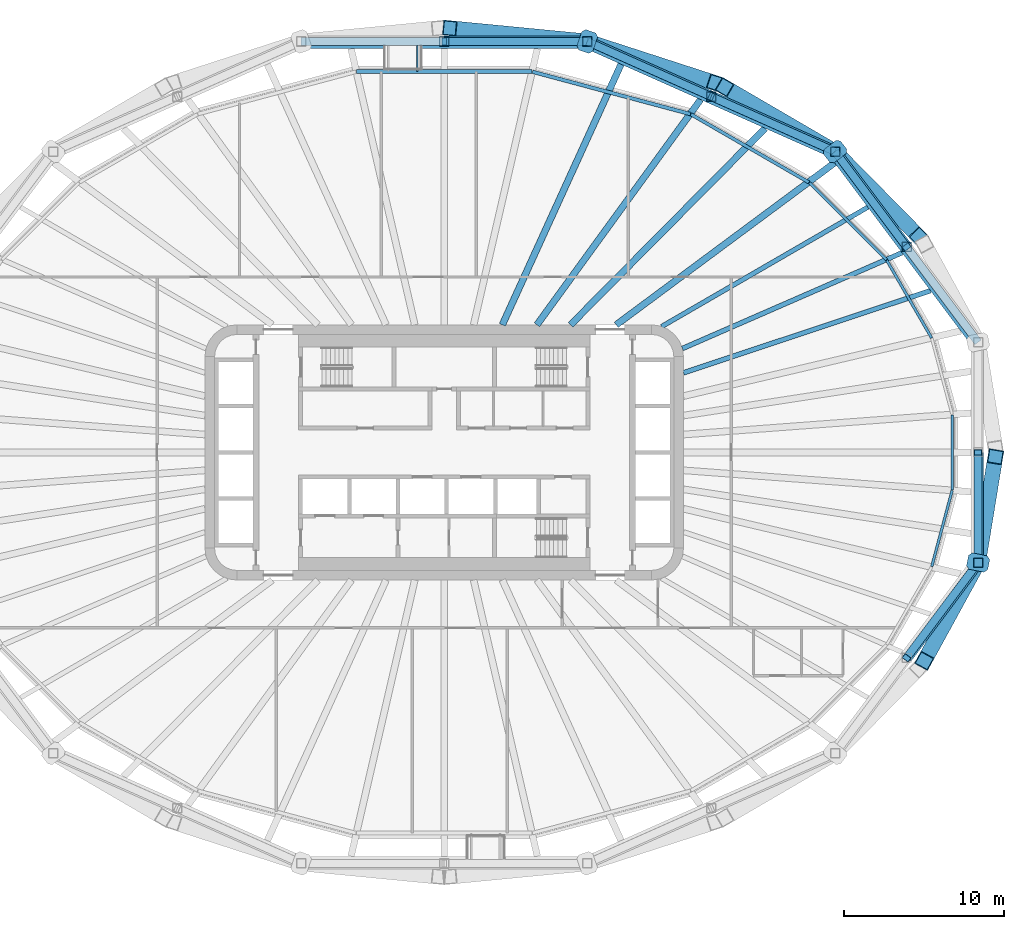
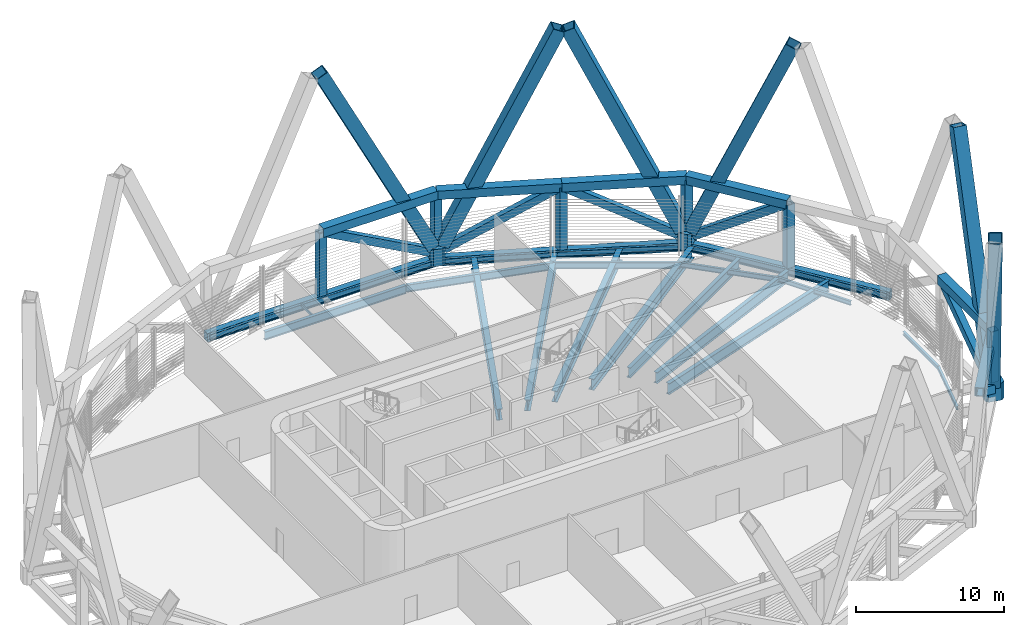
# One storey, part 4 of 18: 27 members, 21 beams.
"""IFC4 building model written with IfcOpenShell, lengths in metres."""

from ifc_helpers import new_model, si_unit, direction, frame, origin, origin_2d, place, context, subcontext, project, spatial, polyline, hollow_rectangle, i_section, outline, extrude, material, material_profile, profile_set, type_object, element, save


model = new_model("IFC4")

# Units and contexts
model_context = context("Model", 3, precision=1e-05, world=origin(), true_north=direction((0.0, 1.0)))
body_context = subcontext(model_context, "Body", "Model", "MODEL_VIEW")
ifc_project = project(units=[si_unit("LENGTHUNIT", "METRE"), si_unit("AREAUNIT", "SQUARE_METRE"), si_unit("VOLUMEUNIT", "CUBIC_METRE"), si_unit("PLANEANGLEUNIT", "RADIAN"), si_unit("MASSUNIT", "GRAM", prefix="KILO")], contexts=[model_context])

# Site, building, storey
site_placement = place(None, origin())
site = spatial("IfcSite", under=ifc_project, at=site_placement, CompositionType="ELEMENT")
building_placement = place(site_placement, origin())
building = spatial("IfcBuilding", under=site, at=building_placement, Name="Sahrelin Media Tower", CompositionType="ELEMENT")
storey_placement = place(building_placement, frame((0.0, 0.0, 96.60009765625)))
storey = spatial("IfcBuildingStorey", under=building, at=storey_placement, Name="L18", CompositionType="ELEMENT", Elevation=96.60009765625)

# Members
ifc_material_1 = material(Name="Steel S460", Category="steel")
ifc_material_profile_1 = material_profile(ifc_material_1, hollow_rectangle(XDim=0.699951171875, YDim=0.699951171875, WallThickness=0.044921875, at=origin_2d()), Name="Belt truss chord BC")
ifc_profile_set_1 = profile_set([ifc_material_profile_1], Name="Steel S460")
member_type_1 = type_object("IfcMemberType", Name="Belt truss chord BC", PredefinedType="CHORD", material=ifc_profile_set_1)
member_1_placement = place(storey_placement, frame((28.9853515625, 12.880615234375, 4.89990234375), z_axis=(-0.600067953481, 0.79994903038, 0.0), x_axis=(-0.79994903038, -0.600067953481, 0.0)))
element("IfcMember", 1, at=member_1_placement, inside=storey, type_object=member_type_1, Name="Belt truss member BT03-00-T2", PredefinedType="CHORD", context=body_context, shape_type="SweptSolid", body=[
    extrude(hollow_rectangle(XDim=0.699951171875, YDim=0.699951171875, WallThickness=0.044921875, at=origin_2d()), origin(), (0.0, 0.0, 1.0), 7.47265625),
])
for number, where, z_axis, x_axis, name in (
    (2, (24.501220703125, 18.8583984375, 4.89990234375), (-0.913829316363, 0.406098486276, 0.0), (-0.406098486276, -0.913829316363, 0.0), "Belt truss member BT03-01-T1"),
    (3, (16.734619140625, 22.309814453125, 4.89990234375), (-0.913829316363, 0.406098486276, 0.0), (-0.406098486276, -0.913829316363, 0.0), "Belt truss member BT03-01-T2"),
):
    element("IfcMember", number, at=place(storey_placement, frame(where, z_axis=z_axis, x_axis=x_axis)), inside=storey, type_object=member_type_1, Name=name, PredefinedType="CHORD", context=body_context, shape_type="SweptSolid", body=[
        extrude(hollow_rectangle(XDim=0.699951171875, YDim=0.699951171875, WallThickness=0.044921875, at=origin_2d()), origin(), (0.0, 0.0, 1.0), 8.4990234375),
    ])
member_2_placement = place(storey_placement, frame((8.968017578125, 25.76123046875, 4.89990234375), z_axis=(-1.0, 0.0, 0.0), x_axis=(0.0, -1.0, 0.0)))
element("IfcMember", 4, at=member_2_placement, inside=storey, type_object=member_type_1, Name="Belt truss member BT03-02-T1", PredefinedType="CHORD", context=body_context, shape_type="SweptSolid", body=[
    extrude(hollow_rectangle(XDim=0.699951171875, YDim=0.699951171875, WallThickness=0.044921875, at=origin_2d()), origin(), (0.0, 0.0, 1.0), 8.968017578125),
])
member_3_placement = place(storey_placement, frame((28.9853515625, -12.880615234375, 4.89990234375), z_axis=(0.600031363478, 0.799976476431, 0.0), x_axis=(-0.799976476431, 0.600031363478, 0.0)))
element("IfcMember", 5, at=member_3_placement, inside=storey, type_object=member_type_1, Name="Belt truss member BT03-10-T2", PredefinedType="CHORD", context=body_context, shape_type="SweptSolid", body=[
    extrude(hollow_rectangle(XDim=0.699951171875, YDim=0.699951171875, WallThickness=0.044921875, at=origin_2d()), origin(), (0.0, 0.0, 1.0), 7.47265625),
])
member_4_placement = place(storey_placement, frame((33.46923828125, -6.902587890625, 4.89990234375), z_axis=(0.0, 1.0, 0.0), x_axis=(-1.0, 0.0, 0.0)))
element("IfcMember", 6, at=member_4_placement, inside=storey, type_object=member_type_1, Name="Belt truss member BT03-11-T1", PredefinedType="CHORD", context=body_context, shape_type="SweptSolid", body=[
    extrude(hollow_rectangle(XDim=0.699951171875, YDim=0.699951171875, WallThickness=0.044921875, at=origin_2d()), origin(), (0.0, 0.0, 1.0), 6.902587890625),
])
ifc_material_profile_2 = material_profile(ifc_material_1, hollow_rectangle(XDim=0.5, YDim=0.60009765625, WallThickness=0.030029296875, at=origin_2d()), Name="Belt truss diagonal BD")
ifc_profile_set_2 = profile_set([ifc_material_profile_2], Name="Steel S460")
member_type_2 = type_object("IfcMemberType", Name="Belt truss diagonal BD", PredefinedType="BRACE", material=ifc_profile_set_2)
member_5_placement = place(storey_placement, frame((24.81640625, 18.4384765625, 0.34423828125), z_axis=(0.501794767351, -0.668971531901, 0.548342138602), x_axis=(0.799962047202, 0.600050600396, 0.0)))
element("IfcMember", 7, at=member_5_placement, inside=storey, type_object=member_type_2, Name="Belt truss member BT03-00-X2", PredefinedType="BRACE", context=body_context, shape_type="SweptSolid", body=[
    extrude(hollow_rectangle(XDim=0.5, YDim=0.60009765625, WallThickness=0.030029296875, at=origin_2d()), origin(), (0.0, 0.0, 1.0), 8.30810546875),
])
member_6_placement = place(storey_placement, frame((23.95556640625, 19.10107421875, 0.34423828125), z_axis=(-0.791685975004, 0.351797977127, 0.499471220664), x_axis=(-0.40607826395, -0.913838302736, 0.0)))
element("IfcMember", 8, at=member_6_placement, inside=storey, type_object=member_type_2, Name="Belt truss member BT03-01-X1", PredefinedType="BRACE", context=body_context, shape_type="SweptSolid", body=[
    extrude(hollow_rectangle(XDim=0.5, YDim=0.60009765625, WallThickness=0.030029296875, at=origin_2d()), origin(), (0.0, 0.0, 1.0), 9.12109375),
])
member_7_placement = place(storey_placement, frame((9.449462890625, 25.54736328125, 0.3037109375), z_axis=(0.791676830159, -0.351823942518, 0.499467426427), x_axis=(0.406107210213, 0.913825439465, 0.0)))
element("IfcMember", 9, at=member_7_placement, inside=storey, type_object=member_type_2, Name="Belt truss member BT03-01-X2", PredefinedType="BRACE", context=body_context, shape_type="SweptSolid", body=[
    extrude(hollow_rectangle(XDim=0.5, YDim=0.60009765625, WallThickness=0.030029296875, at=origin_2d()), origin(), (0.0, 0.0, 1.0), 9.2021484375),
])
member_8_placement = place(storey_placement, frame((8.412109375, 25.76123046875, 0.3037109375), z_axis=(-0.877554684611, 0.0, 0.479476564096), x_axis=(0.0, -1.0, 0.0)))
element("IfcMember", 10, at=member_8_placement, inside=storey, type_object=member_type_2, Name="Belt truss member BT03-02-X1", PredefinedType="BRACE", context=body_context, shape_type="SweptSolid", body=[
    extrude(hollow_rectangle(XDim=0.5, YDim=0.60009765625, WallThickness=0.030029296875, at=origin_2d()), origin(), (0.0, 0.0, 1.0), 9.5859375),
])
member_9_placement = place(storey_placement, frame((33.12109375, -7.366943359375, 0.38037109375), z_axis=(-0.501786672946, -0.668969906837, 0.54835152831), x_axis=(0.799965993785, -0.600045338944, 0.0)))
element("IfcMember", 11, at=member_9_placement, inside=storey, type_object=member_type_2, Name="Belt truss member BT03-10-X2", PredefinedType="BRACE", context=body_context, shape_type="SweptSolid", body=[
    extrude(hollow_rectangle(XDim=0.5, YDim=0.60009765625, WallThickness=0.030029296875, at=origin_2d()), origin(), (0.0, 0.0, 1.0), 8.241943359375),
])
member_10_placement = place(storey_placement, frame((33.46923828125, -6.36669921875, 0.38037109375), z_axis=(0.0, 0.815432871451, 0.578851649525), x_axis=(-1.0, 0.0, 0.0)))
element("IfcMember", 12, at=member_10_placement, inside=storey, type_object=member_type_2, Name="Belt truss member BT03-11-X1", PredefinedType="BRACE", context=body_context, shape_type="SweptSolid", body=[
    extrude(hollow_rectangle(XDim=0.5, YDim=0.60009765625, WallThickness=0.030029296875, at=origin_2d()), origin(), (0.0, 0.0, 1.0), 7.807861328125),
])
ifc_material_profile_3 = material_profile(ifc_material_1, hollow_rectangle(XDim=0.60009765625, YDim=0.60009765625, WallThickness=0.034912109375, at=origin_2d()), Name="Belt truss post BP")
ifc_profile_set_3 = profile_set([ifc_material_profile_3], Name="Steel S460")
member_type_3 = type_object("IfcMemberType", Name="Belt truss post BP", PredefinedType="POST", material=ifc_profile_set_3)
member_11_placement = place(storey_placement, frame((28.9853515625, 12.880615234375, -0.320068359375), z_axis=(0.0, 0.0, 1.0), x_axis=(1.0, 0.0, 0.0)))
element("IfcMember", 13, at=member_11_placement, inside=storey, type_object=member_type_3, Name="Belt truss member BT03-00-P1", PredefinedType="POST", context=body_context, shape_type="SweptSolid", body=[
    extrude(hollow_rectangle(XDim=0.60009765625, YDim=0.60009765625, WallThickness=0.034912109375, at=origin_2d()), origin(), (0.0, 0.0, 1.0), 5.219970703125),
])
member_12_placement = place(storey_placement, frame((24.501220703125, 18.8583984375, 0.699951171875), z_axis=(0.0, 0.0, 1.0), x_axis=(1.0, 0.0, 0.0)))
element("IfcMember", 14, at=member_12_placement, inside=storey, type_object=member_type_3, Name="Belt truss member BT03-01-P0", PredefinedType="POST", context=body_context, shape_type="SweptSolid", body=[
    extrude(hollow_rectangle(XDim=0.60009765625, YDim=0.60009765625, WallThickness=0.034912109375, at=origin_2d()), origin(), (0.0, 0.0, 1.0), 4.199951171875),
])
member_13_placement = place(storey_placement, frame((16.734619140625, 22.309814453125, -0.320068359375), z_axis=(0.0, 0.0, 1.0), x_axis=(1.0, 0.0, 0.0)))
element("IfcMember", 15, at=member_13_placement, inside=storey, type_object=member_type_3, Name="Belt truss member BT03-01-P1", PredefinedType="POST", context=body_context, shape_type="SweptSolid", body=[
    extrude(hollow_rectangle(XDim=0.60009765625, YDim=0.60009765625, WallThickness=0.034912109375, at=origin_2d()), origin(), (0.0, 0.0, 1.0), 5.219970703125),
])
member_14_placement = place(storey_placement, frame((8.968017578125, 25.76123046875, 0.699951171875), z_axis=(0.0, 0.0, 1.0), x_axis=(1.0, 0.0, 0.0)))
element("IfcMember", 16, at=member_14_placement, inside=storey, type_object=member_type_3, Name="Belt truss member BT03-02-P0", PredefinedType="POST", context=body_context, shape_type="SweptSolid", body=[
    extrude(hollow_rectangle(XDim=0.60009765625, YDim=0.60009765625, WallThickness=0.034912109375, at=origin_2d()), origin(), (0.0, 0.0, 1.0), 4.199951171875),
])
member_15_placement = place(storey_placement, frame((0.0, 25.76123046875, -0.320068359375), z_axis=(0.0, 0.0, 1.0), x_axis=(1.0, 0.0, 0.0)))
element("IfcMember", 17, at=member_15_placement, inside=storey, type_object=member_type_3, Name="Belt truss member BT03-02-P1", PredefinedType="POST", context=body_context, shape_type="SweptSolid", body=[
    extrude(hollow_rectangle(XDim=0.60009765625, YDim=0.60009765625, WallThickness=0.034912109375, at=origin_2d()), origin(), (0.0, 0.0, 1.0), 5.219970703125),
])
member_16_placement = place(storey_placement, frame((33.46923828125, -6.902587890625, 0.699951171875), z_axis=(0.0, 0.0, 1.0), x_axis=(1.0, 0.0, 0.0)))
element("IfcMember", 18, at=member_16_placement, inside=storey, type_object=member_type_3, Name="Belt truss member BT03-11-P0", PredefinedType="POST", context=body_context, shape_type="SweptSolid", body=[
    extrude(hollow_rectangle(XDim=0.60009765625, YDim=0.60009765625, WallThickness=0.034912109375, at=origin_2d()), origin(), (0.0, 0.0, 1.0), 4.199951171875),
])
ifc_material_profile_4 = material_profile(ifc_material_1, hollow_rectangle(XDim=0.949951171875, YDim=0.949951171875, WallThickness=0.054931640625, at=origin_2d()), Name="Diagrid diagonal DG2")
ifc_profile_set_4 = profile_set([ifc_material_profile_4], Name="Steel S460")
member_type_4 = type_object("IfcMemberType", Name="Diagrid diagonal DG2", PredefinedType="BRACE", material=ifc_profile_set_4)
member_17_placement = place(storey_placement, frame((24.71337890625, 18.642822265625, 0.699951171875), z_axis=(0.278358636156, -0.28275966993, 0.917912544166), x_axis=(0.712630930764, 0.70153913399, 0.0)))
element("IfcMember", 19, at=member_17_placement, inside=storey, type_object=member_type_4, Name="Diagrid diagonal D03-02", PredefinedType="BRACE", context=body_context, shape_type="SweptSolid", body=[
    extrude(hollow_rectangle(XDim=0.949951171875, YDim=0.949951171875, WallThickness=0.054931640625, at=origin_2d()), origin(), (0.0, 0.0, 1.0), 18.08447265625),
])
member_18_placement = place(storey_placement, frame((24.220947265625, 19.02197265625, 0.699951171875), z_axis=(-0.363136743751, 0.211780836518, 0.907348104435), x_axis=(-0.503784178099, -0.863829556045, 0.0)))
element("IfcMember", 20, at=member_18_placement, inside=storey, type_object=member_type_4, Name="Diagrid diagonal D03-03", PredefinedType="BRACE", context=body_context, shape_type="SweptSolid", body=[
    extrude(hollow_rectangle(XDim=0.949951171875, YDim=0.949951171875, WallThickness=0.054931640625, at=origin_2d()), origin(), (0.0, 0.0, 1.0), 18.294921875),
])
member_19_placement = place(storey_placement, frame((9.2919921875, 25.656005859375, 0.699951171875), z_axis=(0.416103339156, -0.134953864114, 0.899247166081), x_axis=(0.308507655492, 0.951221859769, 0.0)))
element("IfcMember", 21, at=member_19_placement, inside=storey, type_object=member_type_4, Name="Diagrid diagonal D03-04", PredefinedType="BRACE", context=body_context, shape_type="SweptSolid", body=[
    extrude(hollow_rectangle(XDim=0.949951171875, YDim=0.949951171875, WallThickness=0.054931640625, at=origin_2d()), origin(), (0.0, 0.0, 1.0), 18.459716796875),
])
member_20_placement = place(storey_placement, frame((8.619384765625, 25.794921875, 0.699951171875), z_axis=(-0.445531291563, 0.043019626128, 0.894232173435), x_axis=(-0.096111031278, -0.99537061925, 0.0)))
element("IfcMember", 22, at=member_20_placement, inside=storey, type_object=member_type_4, Name="Diagrid diagonal D03-05", PredefinedType="BRACE", context=body_context, shape_type="SweptSolid", body=[
    extrude(hollow_rectangle(XDim=0.949951171875, YDim=0.949951171875, WallThickness=0.054931640625, at=origin_2d()), origin(), (0.0, 0.0, 1.0), 18.563232421875),
])
member_21_placement = place(storey_placement, frame((33.332763671875, -7.152099609375, 0.699951171875), z_axis=(-0.180665652257, -0.329989397727, 0.926534899225), x_axis=(0.877144222049, -0.480227043935, 0.0)))
element("IfcMember", 23, at=member_21_placement, inside=storey, type_object=member_type_4, Name="Diagrid diagonal D03-22", PredefinedType="BRACE", context=body_context, shape_type="SweptSolid", body=[
    extrude(hollow_rectangle(XDim=0.949951171875, YDim=0.949951171875, WallThickness=0.054931640625, at=origin_2d()), origin(), (0.0, 0.0, 1.0), 17.916015625),
])
member_22_placement = place(storey_placement, frame((33.512939453125, -6.63427734375, 0.699951171875), z_axis=(0.058262838687, 0.357459651471, 0.932109456662), x_axis=(-0.986975841171, 0.160868545541, 0.0)))
element("IfcMember", 24, at=member_22_placement, inside=storey, type_object=member_type_4, Name="Diagrid diagonal D03-23", PredefinedType="BRACE", context=body_context, shape_type="SweptSolid", body=[
    extrude(hollow_rectangle(XDim=0.949951171875, YDim=0.949951171875, WallThickness=0.054931640625, at=origin_2d()), origin(), (0.0, 0.0, 1.0), 17.808837890625),
])
ifc_material_profile_5 = material_profile(ifc_material_1, outline(polyline([(0.47509765625, -0.52490234375), (0.675048828125, -0.324951171875), (0.675048828125, 0.324951171875), (0.47509765625, 0.52490234375), (-0.47509765625, 0.52490234375), (-0.675048828125, 0.324951171875), (-0.675048828125, -0.324951171875), (-0.47509765625, -0.52490234375), (0.47509765625, -0.52490234375)])), Name="Diagrid node block 1350")
ifc_profile_set_5 = profile_set([ifc_material_profile_5], Name="Steel S460")
member_type_5 = type_object("IfcMemberType", Name="Diagrid node block 1350", PredefinedType="USERDEFINED", material=ifc_profile_set_5)
for number, where, z_axis, x_axis, name in (
    (25, (24.501220703125, 18.8583984375, -0.7001953125), (0.0, 0.0, 1.0), (0.792445093645, 0.609943254376, 0.0), "Diagrid node N03-01"),
    (26, (8.968017578125, 25.76123046875, -0.7001953125), (0.0, 0.0, 1.0), (0.328771046687, 0.944409656272, 0.0), "Diagrid node N03-02"),
    (27, (33.46923828125, -6.902587890625, -0.7001953125), (0.0, 0.0, 1.0), (0.979387770926, -0.201989094163, 0.0), "Diagrid node N03-11"),
):
    element("IfcMember", number, at=place(storey_placement, frame(where, z_axis=z_axis, x_axis=x_axis)), inside=storey, type_object=member_type_5, Name=name, ObjectType="NODE", PredefinedType="USERDEFINED", context=body_context, shape_type="SweptSolid", body=[
        extrude(outline(polyline([(0.47509765625, -0.52490234375), (0.675048828125, -0.324951171875), (0.675048828125, 0.324951171875), (0.47509765625, 0.52490234375), (-0.47509765625, 0.52490234375), (-0.675048828125, 0.324951171875), (-0.675048828125, -0.324951171875), (-0.47509765625, -0.52490234375), (0.47509765625, -0.52490234375)])), origin(), (0.0, 0.0, 1.0), 1.400146484375),
    ])

# Beams
ifc_material_profile_6 = material_profile(ifc_material_1, hollow_rectangle(XDim=0.5, YDim=0.699951171875, WallThickness=0.034912109375, at=origin_2d()), Name="Diagrid ring beam RB2")
ifc_profile_set_6 = profile_set([ifc_material_profile_6], Name="Steel S460")
beam_type_1 = type_object("IfcBeamType", Name="Diagrid ring beam RB2", PredefinedType="BEAM", material=ifc_profile_set_6)
beam_1_placement = place(storey_placement, frame((33.46923828125, 6.902587890625, -0.650146484375), z_axis=(-0.600049658577, 0.799962753659, 0.0), x_axis=(-0.799962753659, -0.600049658577, 0.0)))
element("IfcBeam", 28, at=beam_1_placement, inside=storey, type_object=beam_type_1, Name="Diagrid ring beam RB03-00", PredefinedType="BEAM", context=body_context, shape_type="SweptSolid", body=[
    extrude(hollow_rectangle(XDim=0.5, YDim=0.699951171875, WallThickness=0.034912109375, at=origin_2d()), origin(), (0.0, 0.0, 1.0), 14.945556640625),
])
beam_2_placement = place(storey_placement, frame((24.501220703125, 18.8583984375, -0.650146484375), z_axis=(-0.913829316363, 0.406098486276, 0.0), x_axis=(-0.406098486276, -0.913829316363, 0.0)))
element("IfcBeam", 29, at=beam_2_placement, inside=storey, type_object=beam_type_1, Name="Diagrid ring beam RB03-01", PredefinedType="BEAM", context=body_context, shape_type="SweptSolid", body=[
    extrude(hollow_rectangle(XDim=0.5, YDim=0.699951171875, WallThickness=0.034912109375, at=origin_2d()), origin(), (0.0, 0.0, 1.0), 16.998046875),
])
beam_3_placement = place(storey_placement, frame((8.968017578125, 25.76123046875, -0.650146484375), z_axis=(-1.0, 0.0, 0.0), x_axis=(0.0, -1.0, 0.0)))
element("IfcBeam", 30, at=beam_3_placement, inside=storey, type_object=beam_type_1, Name="Diagrid ring beam RB03-02", PredefinedType="BEAM", context=body_context, shape_type="SweptSolid", body=[
    extrude(hollow_rectangle(XDim=0.5, YDim=0.699951171875, WallThickness=0.034912109375, at=origin_2d()), origin(), (0.0, 0.0, 1.0), 17.93603515625),
])
ifc_material_2 = material(Name="Steel S355", Category="steel")
ifc_material_profile_7 = material_profile(ifc_material_2, i_section(OverallWidth=0.1650390625, OverallDepth=0.303466796875, WebThickness=0.006103515625, FlangeThickness=0.01025390625, FilletRadius=0.0087890625, at=origin_2d()), Name="UB 305x165x40")
ifc_profile_set_7 = profile_set([ifc_material_profile_7], Name="Steel S355")
beam_type_2 = type_object("IfcBeamType", Name="Edge beam EB2", PredefinedType="BEAM", material=ifc_profile_set_7)
beam_4_placement = place(storey_placement, frame((31.844970703125, 2.35693359375, -0.451904296875), z_axis=(0.0, -1.0, 0.0), x_axis=(1.0, 0.0, 0.0)))
element("IfcBeam", 31, at=beam_4_placement, inside=storey, type_object=beam_type_2, Name="Edge beam L18-01", PredefinedType="BEAM", context=body_context, shape_type="SweptSolid", body=[
    extrude(i_section(OverallWidth=0.1650390625, OverallDepth=0.303466796875, WebThickness=0.006103515625, FlangeThickness=0.01025390625, FilletRadius=0.0087890625, at=origin_2d()), origin(), (0.0, 0.0, 1.0), 4.7138671875),
])
beam_5_placement = place(storey_placement, frame((31.841064453125, -2.385498046875, -0.451904296875), z_axis=(-0.258792983491, -0.9659328091, 0.0), x_axis=(0.9659328091, -0.258792983491, 0.0)))
element("IfcBeam", 32, at=beam_5_placement, inside=storey, type_object=beam_type_2, Name="Edge beam L18-02", PredefinedType="BEAM", context=body_context, shape_type="SweptSolid", body=[
    extrude(i_section(OverallWidth=0.1650390625, OverallDepth=0.303466796875, WebThickness=0.006103515625, FlangeThickness=0.01025390625, FilletRadius=0.0087890625, at=origin_2d()), origin(), (0.0, 0.0, 1.0), 4.932861328125),
])
ifc_material_profile_8 = material_profile(ifc_material_2, i_section(OverallWidth=0.17138671875, OverallDepth=0.35498046875, WebThickness=0.00732421875, FlangeThickness=0.011474609375, FilletRadius=0.01025390625, at=origin_2d()), Name="UB 356x171x51")
ifc_profile_set_8 = profile_set([ifc_material_profile_8], Name="Steel S355")
beam_type_3 = type_object("IfcBeamType", Name="Edge beam EB3", PredefinedType="BEAM", material=ifc_profile_set_8)
beam_6_placement = place(storey_placement, frame((27.742431640625, 12.045654296875, -0.4775390625), z_axis=(0.5000156639, -0.866016360039, 0.0), x_axis=(0.866016360039, 0.5000156639, 0.0)))
element("IfcBeam", 33, at=beam_6_placement, inside=storey, type_object=beam_type_3, Name="Edge beam L18-23", PredefinedType="BEAM", context=body_context, shape_type="SweptSolid", body=[
    extrude(i_section(OverallWidth=0.17138671875, OverallDepth=0.35498046875, WebThickness=0.00732421875, FlangeThickness=0.011474609375, FilletRadius=0.01025390625, at=origin_2d()), origin(), (0.0, 0.0, 1.0), 5.621826171875),
])
ifc_material_profile_9 = material_profile(ifc_material_2, i_section(OverallWidth=0.177978515625, OverallDepth=0.406494140625, WebThickness=0.0078125, FlangeThickness=0.0126953125, FilletRadius=0.01025390625, at=origin_2d()), Name="UB 406x178x60")
ifc_profile_set_9 = profile_set([ifc_material_profile_9], Name="Steel S355")
beam_type_4 = type_object("IfcBeamType", Name="Edge beam EB4", PredefinedType="BEAM", material=ifc_profile_set_9)
beam_7_placement = place(storey_placement, frame((22.885498046875, 16.907958984375, -0.50341796875), z_axis=(0.707106781187, -0.707106781187, 0.0), x_axis=(0.707106781187, 0.707106781187, 0.0)))
element("IfcBeam", 34, at=beam_7_placement, inside=storey, type_object=beam_type_4, Name="Edge beam L18-22", PredefinedType="BEAM", context=body_context, shape_type="SweptSolid", body=[
    extrude(i_section(OverallWidth=0.177978515625, OverallDepth=0.406494140625, WebThickness=0.0078125, FlangeThickness=0.0126953125, FilletRadius=0.01025390625, at=origin_2d()), origin(), (0.0, 0.0, 1.0), 6.843994140625),
])
ifc_material_profile_10 = material_profile(ifc_material_2, i_section(OverallWidth=0.208740234375, OverallDepth=0.5283203125, WebThickness=0.009521484375, FlangeThickness=0.01318359375, FilletRadius=0.0126953125, at=origin_2d()), Name="UB 533x210x82")
ifc_profile_set_10 = profile_set([ifc_material_profile_10], Name="Steel S355")
beam_type_5 = type_object("IfcBeamType", Name="Edge beam EB6", PredefinedType="BEAM", material=ifc_profile_set_10)
beam_8_placement = place(storey_placement, frame((15.46240234375, 21.197998046875, -0.564208984375), z_axis=(0.866026195692, -0.499998628373, 0.0), x_axis=(0.499998628373, 0.866026195692, 0.0)))
element("IfcBeam", 35, at=beam_8_placement, inside=storey, type_object=beam_type_5, Name="Edge beam L18-21", PredefinedType="BEAM", context=body_context, shape_type="SweptSolid", body=[
    extrude(i_section(OverallWidth=0.208740234375, OverallDepth=0.5283203125, WebThickness=0.009521484375, FlangeThickness=0.01318359375, FilletRadius=0.0126953125, at=origin_2d()), origin(), (0.0, 0.0, 1.0), 8.544921875),
])
ifc_material_profile_11 = material_profile(ifc_material_2, i_section(OverallWidth=0.2275390625, OverallDepth=0.6025390625, WebThickness=0.010498046875, FlangeThickness=0.014892578125, FilletRadius=0.0126953125, at=origin_2d()), Name="UB 610x229x101")
ifc_profile_set_11 = profile_set([ifc_material_profile_11], Name="Steel S355")
beam_type_6 = type_object("IfcBeamType", Name="Edge beam EB7", PredefinedType="BEAM", material=ifc_profile_set_11)
beam_9_placement = place(storey_placement, frame((5.53369140625, 23.8623046875, -0.601318359375), z_axis=(0.965924345533, -0.258824571297, 0.0), x_axis=(0.258824571297, 0.965924345533, 0.0)))
element("IfcBeam", 36, at=beam_9_placement, inside=storey, type_object=beam_type_6, Name="Edge beam L18-20", PredefinedType="BEAM", context=body_context, shape_type="SweptSolid", body=[
    extrude(i_section(OverallWidth=0.2275390625, OverallDepth=0.6025390625, WebThickness=0.010498046875, FlangeThickness=0.014892578125, FilletRadius=0.0126953125, at=origin_2d()), origin(), (0.0, 0.0, 1.0), 10.25146484375),
])
ifc_material_profile_12 = material_profile(ifc_material_2, i_section(OverallWidth=0.2529296875, OverallDepth=0.677978515625, WebThickness=0.01171875, FlangeThickness=0.01611328125, FilletRadius=0.01513671875, at=origin_2d()), Name="UB 686x254x125")
ifc_profile_set_12 = profile_set([ifc_material_profile_12], Name="Steel S355")
beam_type_7 = type_object("IfcBeamType", Name="Edge beam EB8", PredefinedType="BEAM", material=ifc_profile_set_12)
beam_10_placement = place(storey_placement, frame((-5.505126953125, 23.8662109375, -0.638916015625), z_axis=(1.0, 0.0, 0.0), x_axis=(0.0, 1.0, 0.0)))
element("IfcBeam", 37, at=beam_10_placement, inside=storey, type_object=beam_type_7, Name="Edge beam L18-19", PredefinedType="BEAM", context=body_context, shape_type="SweptSolid", body=[
    extrude(i_section(OverallWidth=0.2529296875, OverallDepth=0.677978515625, WebThickness=0.01171875, FlangeThickness=0.01611328125, FilletRadius=0.01513671875, at=origin_2d()), origin(), (0.0, 0.0, 1.0), 11.01025390625),
])
ifc_material_profile_13 = material_profile(ifc_material_2, hollow_rectangle(XDim=0.10009765625, YDim=0.199951171875, WallThickness=0.008056640625, at=origin_2d()), Name="RHS 200x100x8")
ifc_profile_set_13 = profile_set([ifc_material_profile_13], Name="Steel S355")
beam_type_8 = type_object("IfcBeamType", Name="Platform support beam", PredefinedType="BEAM", material=ifc_profile_set_13)
beam_11_placement = place(storey_placement, frame((-1.699951171875, 23.871826171875, -0.400146484375), z_axis=(0.0, 1.0, 0.0), x_axis=(-1.0, 0.0, 0.0)))
element("IfcBeam", 38, at=beam_11_placement, inside=storey, type_object=beam_type_8, Name="Platform support beam L18-06", PredefinedType="BEAM", context=body_context, shape_type="SweptSolid", body=[
    extrude(hollow_rectangle(XDim=0.10009765625, YDim=0.199951171875, WallThickness=0.008056640625, at=origin_2d()), origin(), (0.0, 0.0, 1.0), 1.639404296875),
])
ifc_material_profile_14 = material_profile(ifc_material_2, i_section(OverallWidth=0.30322265625, OverallDepth=0.903076171875, WebThickness=0.01513671875, FlangeThickness=0.020263671875, FilletRadius=0.01904296875, at=origin_2d()), Name="UB 914x305x201")
ifc_profile_set_14 = profile_set([ifc_material_profile_14], Name="Steel S355")
beam_type_9 = type_object("IfcBeamType", Name="Radial primary beam PB11", PredefinedType="BEAM", material=ifc_profile_set_14)
beam_12_placement = place(storey_placement, frame((14.932373046875, 6.513427734375, -0.751708984375), z_axis=(0.916592885932, 0.399821812136, 0.0), x_axis=(-0.399821812136, 0.916592885932, 0.0)))
element("IfcBeam", 39, at=beam_12_placement, inside=storey, type_object=beam_type_9, Name="Radial beam L18-03", PredefinedType="BEAM", context=body_context, shape_type="SweptSolid", body=[
    extrude(i_section(OverallWidth=0.30322265625, OverallDepth=0.903076171875, WebThickness=0.01513671875, FlangeThickness=0.020263671875, FilletRadius=0.01904296875, at=origin_2d()), origin(), (0.0, 0.0, 1.0), 15.02001953125),
])
ifc_material_profile_15 = material_profile(ifc_material_2, i_section(OverallWidth=0.41845703125, OverallDepth=0.911865234375, WebThickness=0.019287109375, FlangeThickness=0.031982421875, FilletRadius=0.024169921875, at=origin_2d()), Name="UB 914x419x343")
ifc_profile_set_15 = profile_set([ifc_material_profile_15], Name="Steel S355")
beam_type_10 = type_object("IfcBeamType", Name="Radial primary beam PB12", PredefinedType="BEAM", material=ifc_profile_set_15)
beam_13_placement = place(storey_placement, frame((10.78369140625, 8.0, -0.756103515625), z_axis=(0.803136278575, 0.595795365907, 0.0), x_axis=(-0.595795365907, 0.803136278575, 0.0)))
element("IfcBeam", 40, at=beam_13_placement, inside=storey, type_object=beam_type_10, Name="Radial beam L18-04", PredefinedType="BEAM", context=body_context, shape_type="SweptSolid", body=[
    extrude(i_section(OverallWidth=0.41845703125, OverallDepth=0.911865234375, WebThickness=0.019287109375, FlangeThickness=0.031982421875, FilletRadius=0.024169921875, at=origin_2d()), origin(), (0.0, 0.0, 1.0), 17.044189453125),
])
beam_14_placement = place(storey_placement, frame((5.812255859375, 8.0, -0.756103515625), z_axis=(0.587771505131, 0.809026982094, 0.0), x_axis=(-0.809026982094, 0.587771505131, 0.0)))
element("IfcBeam", 41, at=beam_14_placement, inside=storey, type_object=beam_type_10, Name="Radial beam L18-05", PredefinedType="BEAM", context=body_context, shape_type="SweptSolid", body=[
    extrude(i_section(OverallWidth=0.41845703125, OverallDepth=0.911865234375, WebThickness=0.019287109375, FlangeThickness=0.031982421875, FilletRadius=0.024169921875, at=origin_2d()), origin(), (0.0, 0.0, 1.0), 17.45068359375),
])
ifc_material_profile_16 = material_profile(ifc_material_2, i_section(OverallWidth=0.291748046875, OverallDepth=0.8349609375, WebThickness=0.013916015625, FlangeThickness=0.018798828125, FilletRadius=0.017822265625, at=origin_2d()), Name="UB 838x292x176")
ifc_profile_set_16 = profile_set([ifc_material_profile_16], Name="Steel S355")
beam_type_11 = type_object("IfcBeamType", Name="Radial secondary beam SB10", PredefinedType="BEAM", material=ifc_profile_set_16)
beam_15_placement = place(storey_placement, frame((13.624267578125, 7.8876953125, -0.717529296875), z_axis=(0.865434487743, 0.501022102731, 0.0), x_axis=(-0.501022102731, 0.865434487743, 0.0)))
element("IfcBeam", 42, at=beam_15_placement, inside=storey, type_object=beam_type_11, Name="Secondary beam L18-03", PredefinedType="BEAM", context=body_context, shape_type="SweptSolid", body=[
    extrude(i_section(OverallWidth=0.291748046875, OverallDepth=0.8349609375, WebThickness=0.013916015625, FlangeThickness=0.018798828125, FilletRadius=0.017822265625, at=origin_2d()), origin(), (0.0, 0.0, 1.0), 14.944091796875),
])
ifc_material_profile_17 = material_profile(ifc_material_2, i_section(OverallWidth=0.30322265625, OverallDepth=0.903076171875, WebThickness=0.01513671875, FlangeThickness=0.020263671875, FilletRadius=0.01904296875, at=origin_2d()), Name="UB 914x305x201")
ifc_profile_set_17 = profile_set([ifc_material_profile_17], Name="Steel S355")
beam_type_12 = type_object("IfcBeamType", Name="Radial secondary beam SB11", PredefinedType="BEAM", material=ifc_profile_set_17)
beam_16_placement = place(storey_placement, frame((15.0, 4.990478515625, -0.751708984375), z_axis=(0.948859701719, 0.315698062163, 0.0), x_axis=(-0.315698062163, 0.948859701719, 0.0)))
element("IfcBeam", 43, at=beam_16_placement, inside=storey, type_object=beam_type_12, Name="Secondary beam L18-02", PredefinedType="BEAM", context=body_context, shape_type="SweptSolid", body=[
    extrude(i_section(OverallWidth=0.30322265625, OverallDepth=0.903076171875, WebThickness=0.01513671875, FlangeThickness=0.020263671875, FilletRadius=0.01904296875, at=origin_2d()), origin(), (0.0, 0.0, 1.0), 16.3173828125),
])
ifc_material_profile_18 = material_profile(ifc_material_2, i_section(OverallWidth=0.41845703125, OverallDepth=0.911865234375, WebThickness=0.019287109375, FlangeThickness=0.031982421875, FilletRadius=0.024169921875, at=origin_2d()), Name="UB 914x419x343")
ifc_profile_set_18 = profile_set([ifc_material_profile_18], Name="Steel S355")
beam_type_13 = type_object("IfcBeamType", Name="Radial secondary beam SB12", PredefinedType="BEAM", material=ifc_profile_set_18)
beam_17_placement = place(storey_placement, frame((7.920654296875, 8.0, -0.756103515625), z_axis=(0.703577242699, 0.710618789194, 0.0), x_axis=(-0.710618789194, 0.703577242699, 0.0)))
element("IfcBeam", 44, at=beam_17_placement, inside=storey, type_object=beam_type_13, Name="Secondary beam L18-04", PredefinedType="BEAM", context=body_context, shape_type="SweptSolid", body=[
    extrude(i_section(OverallWidth=0.41845703125, OverallDepth=0.911865234375, WebThickness=0.019287109375, FlangeThickness=0.031982421875, FilletRadius=0.024169921875, at=origin_2d()), origin(), (0.0, 0.0, 1.0), 17.335693359375),
])
beam_18_placement = place(storey_placement, frame((3.644775390625, 8.0, -0.756103515625), z_axis=(0.414596028324, 0.910005567729, 0.0), x_axis=(-0.910005567729, 0.414596028324, 0.0)))
element("IfcBeam", 45, at=beam_18_placement, inside=storey, type_object=beam_type_13, Name="Secondary beam L18-05", PredefinedType="BEAM", context=body_context, shape_type="SweptSolid", body=[
    extrude(i_section(OverallWidth=0.41845703125, OverallDepth=0.911865234375, WebThickness=0.019287109375, FlangeThickness=0.031982421875, FilletRadius=0.024169921875, at=origin_2d()), origin(), (0.0, 0.0, 1.0), 17.947998046875),
])
ifc_material_profile_19 = material_profile(ifc_material_2, i_section(OverallWidth=0.1904296875, OverallDepth=0.45703125, WebThickness=0.009033203125, FlangeThickness=0.014404296875, FilletRadius=0.01025390625, at=origin_2d()), Name="UB 457x191x74")
ifc_profile_set_19 = profile_set([ifc_material_profile_19], Name="Steel S355")
beam_type_14 = type_object("IfcBeamType", Name="Tie chord TC5", PredefinedType="BEAM", material=ifc_profile_set_19)
beam_19_placement = place(storey_placement, frame((-8.893798828125, 25.410888671875, -0.528564453125), z_axis=(1.0, 0.0, 0.0), x_axis=(0.0, 1.0, 0.0)))
element("IfcBeam", 46, at=beam_19_placement, inside=storey, type_object=beam_type_14, Name="Tie chord L18-10", PredefinedType="BEAM", context=body_context, shape_type="SweptSolid", body=[
    extrude(i_section(OverallWidth=0.1904296875, OverallDepth=0.45703125, WebThickness=0.009033203125, FlangeThickness=0.014404296875, FilletRadius=0.01025390625, at=origin_2d()), origin(), (0.0, 0.0, 1.0), 17.78759765625),
])
beam_20_placement = place(storey_placement, frame((8.893798828125, 25.410888671875, -0.528564453125), z_axis=(0.913831883467, -0.406092709563, 0.0), x_axis=(0.406092709563, 0.913831883467, 0.0)))
element("IfcBeam", 47, at=beam_20_placement, inside=storey, type_object=beam_type_14, Name="Tie chord L18-11", PredefinedType="BEAM", context=body_context, shape_type="SweptSolid", body=[
    extrude(i_section(OverallWidth=0.1904296875, OverallDepth=0.45703125, WebThickness=0.009033203125, FlangeThickness=0.014404296875, FilletRadius=0.01025390625, at=origin_2d()), origin(), (0.0, 0.0, 1.0), 16.832275390625),
])
beam_21_placement = place(storey_placement, frame((24.275634765625, 18.575439453125, -0.528564453125), z_axis=(0.600058309569, -0.799956264503, 0.0), x_axis=(0.799956264503, 0.600058309569, 0.0)))
element("IfcBeam", 48, at=beam_21_placement, inside=storey, type_object=beam_type_14, Name="Tie chord L18-12", PredefinedType="BEAM", context=body_context, shape_type="SweptSolid", body=[
    extrude(i_section(OverallWidth=0.1904296875, OverallDepth=0.45703125, WebThickness=0.009033203125, FlangeThickness=0.014404296875, FilletRadius=0.01025390625, at=origin_2d()), origin(), (0.0, 0.0, 1.0), 14.73779296875),
])

save(model, "model.ifc")
